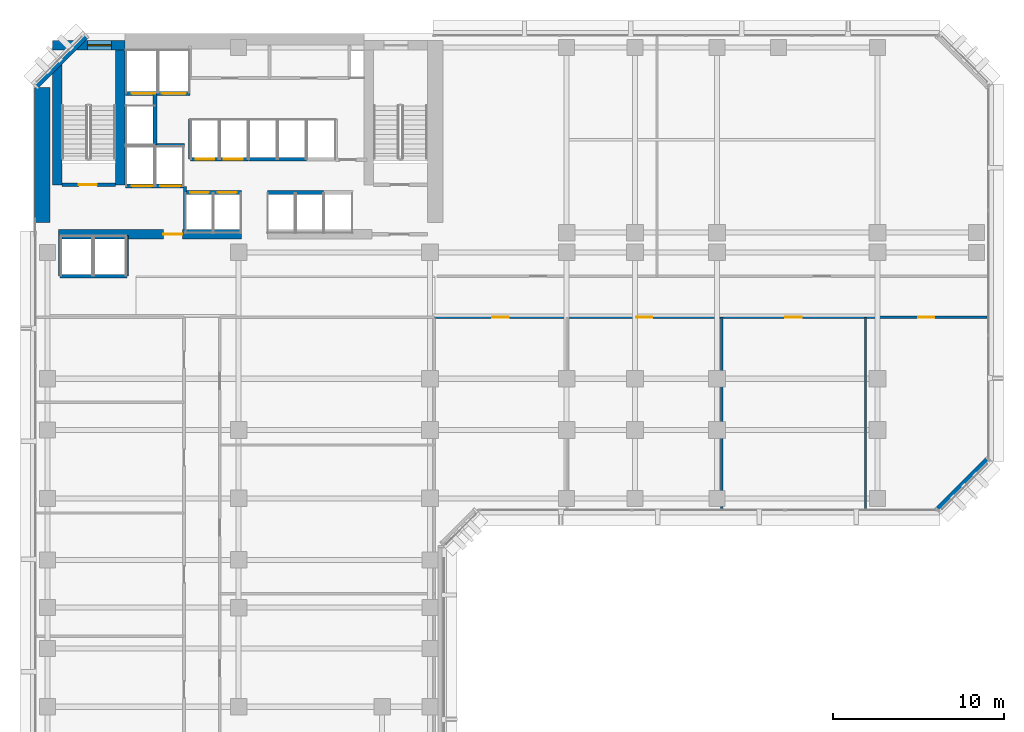
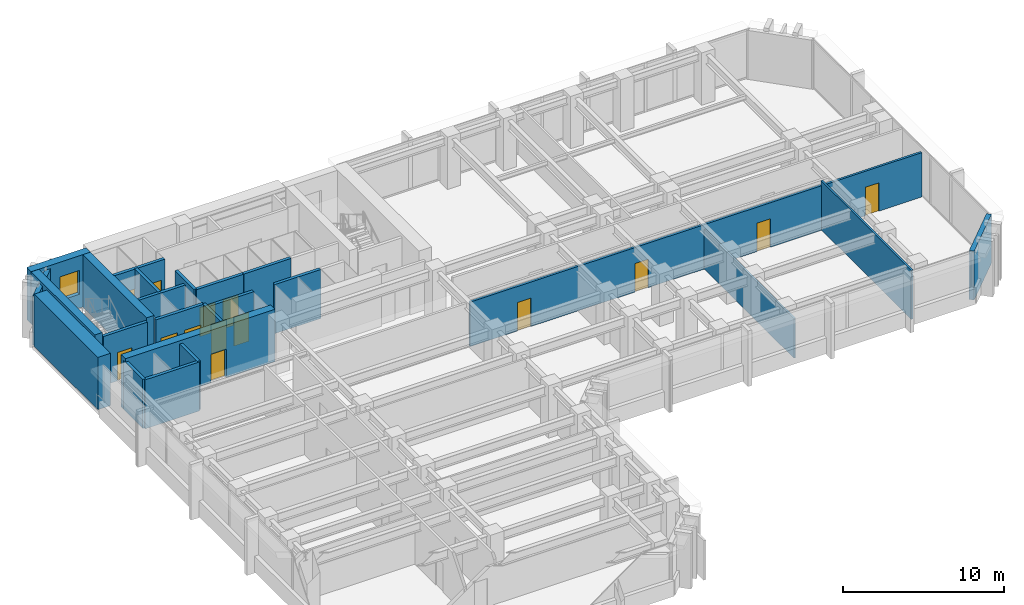
# One storey, part 7 of 13: 24 walls, 14 doors, 1 window, 15 openings.
"""IFC4 building model written with IfcOpenShell, lengths in metres."""

import ifcopenshell
import ifcopenshell.guid

model = None  # the IFC model being written
_history = None  # IfcOwnerHistory: only IFC2X3 demands one
_inside = {}  # id of a spatial element -> (the spatial element, [elements in it])
_under = {}  # id of a project, library or spatial element -> (it, [spatial elements below it])
_declared = {}  # id of a project -> (the project, [libraries it declares])
_typed = {}  # id of a type object -> (the type object, [elements of that type])
_made_of = {}  # id of a material, layer set ... -> (it, [elements and type objects made of it])


def new_model(schema):
    """Start an empty IFC model of exactly this schema.

    Asked for "IFC4X3", IfcOpenShell would pick the latest addendum, in which some entities
    have other attributes; the version numbers below select the first issue.
    IFC2X3 requires an IfcOwnerHistory on every rooted entity: one is made here for all.
    """
    global model, _history
    if schema == "IFC4X3":
        model = ifcopenshell.file(schema_version=(4, 3, 0, 0))
    else:
        model = ifcopenshell.file(schema=schema)
    _inside.clear()
    _under.clear()
    _declared.clear()
    _typed.clear()
    _made_of.clear()
    _history = None
    if model.schema == "IFC2X3":
        org = make("IfcOrganization", Name="unknown")
        user = make(
            "IfcPersonAndOrganization",
            ThePerson=make("IfcPerson", FamilyName="unknown"),
            TheOrganization=org,
        )
        app = make(
            "IfcApplication",
            ApplicationDeveloper=org,
            Version="unknown",
            ApplicationFullName="unknown",
            ApplicationIdentifier="unknown",
        )
        _history = make(
            "IfcOwnerHistory",
            OwningUser=user,
            OwningApplication=app,
            ChangeAction="ADDED",
            CreationDate=0,
        )
    return model


def make(cls, **values):
    """One entity of the class cls with the attributes given. An attribute that is None is left unset."""
    return model.create_entity(
        cls, **{name: value for name, value in values.items() if value is not None}
    )


def rooted(cls, **values):
    """An entity with a GlobalId (a new one), such as an element, a storey or a relation."""
    return make(cls, GlobalId=ifcopenshell.guid.new(), OwnerHistory=_history, **values)


def si_unit(unit_type, name, prefix=None):
    """IfcSIUnit, for example si_unit("LENGTHUNIT", "METRE", prefix="MILLI")."""
    return make("IfcSIUnit", UnitType=unit_type, Prefix=prefix, Name=name)


def assignment(units):
    """IfcUnitAssignment: the units of a project."""
    return None if units is None else make("IfcUnitAssignment", Units=units)


def point(xyz):
    """IfcCartesianPoint."""
    return None if xyz is None else make("IfcCartesianPoint", Coordinates=xyz)


def direction(xyz):
    """IfcDirection."""
    return None if xyz is None else make("IfcDirection", DirectionRatios=xyz)


def frame(location, z_axis=None, x_axis=None):
    """IfcAxis2Placement3D, a coordinate frame: its origin and axes. An axis left out is left unset."""
    return make(
        "IfcAxis2Placement3D",
        Location=point(location),
        Axis=direction(z_axis),
        RefDirection=direction(x_axis),
    )


def frame_2d(location, x_axis=None):
    """IfcAxis2Placement2D, a coordinate frame in the plane: its origin and x axis."""
    return make(
        "IfcAxis2Placement2D", Location=point(location), RefDirection=direction(x_axis)
    )


def origin():
    """The frame at (0, 0, 0) with its axes left unset."""
    return frame((0.0, 0.0, 0.0))


def place(relative_to, where):
    """IfcLocalPlacement: puts the frame where relative to a parent placement (None: the world)."""
    return make(
        "IfcLocalPlacement", PlacementRelTo=relative_to, RelativePlacement=where
    )


def context(
    kind, dimensions, precision=None, world=None, true_north=None, identifier=None
):
    """IfcGeometricRepresentationContext, for example the 3D "Model" context."""
    return make(
        "IfcGeometricRepresentationContext",
        ContextIdentifier=identifier,
        ContextType=kind,
        CoordinateSpaceDimension=dimensions,
        Precision=precision,
        WorldCoordinateSystem=world,
        TrueNorth=true_north,
    )


def subcontext(parent, identifier, kind, view, scale=None):
    """IfcGeometricRepresentationSubContext, for example "Body" below "Model"."""
    return make(
        "IfcGeometricRepresentationSubContext",
        ContextIdentifier=identifier,
        ContextType=kind,
        ParentContext=parent,
        TargetScale=scale,
        TargetView=view,
    )


def project(units=None, contexts=None):
    """IfcProject with its units and contexts."""
    return rooted(
        "IfcProject",
        Name="project",
        RepresentationContexts=contexts,
        UnitsInContext=assignment(units),
    )


def spatial(cls, under=None, at=None, **own):
    """A site, building, storey or space (cls), placed at a placement, below another one or the project."""
    s = rooted(cls, ObjectPlacement=at, **own)
    if under is not None:
        _under.setdefault(under.id(), (under, []))[1].append(s)
    return s


def profile(cls, at=None, kind="AREA", **sizes):
    """A parametric profile (cls). Its sizes go by their IFC names, for example OverallWidth=200.0."""
    return make(cls, ProfileType=kind, Position=at, **sizes)


def rectangle(**sizes):
    """IfcRectangleProfileDef."""
    return profile("IfcRectangleProfileDef", **sizes)


def extrude(swept, where, along, depth):
    """IfcExtrudedAreaSolid: the profile swept, set in the frame where, extruded along a direction by depth."""
    return make(
        "IfcExtrudedAreaSolid",
        SweptArea=swept,
        Position=where,
        ExtrudedDirection=direction(along),
        Depth=depth,
    )


def shape(context_of_items, identifier, shape_type, items):
    """IfcShapeRepresentation: the items that make up one representation, for example the "Body"."""
    return make(
        "IfcShapeRepresentation",
        ContextOfItems=context_of_items,
        RepresentationIdentifier=identifier,
        RepresentationType=shape_type,
        Items=items,
    )


def material(Name=None, Category=None):
    """IfcMaterial."""
    return make("IfcMaterial", Name=Name, Category=Category)


def layer(
    of_material, thickness, ventilated=None, Name=None, Category=None, Priority=None
):
    """IfcMaterialLayer: one layer of a wall or slab, of a material (None: an air gap)."""
    return make(
        "IfcMaterialLayer",
        Material=of_material,
        LayerThickness=thickness,
        IsVentilated=ventilated,
        Name=Name,
        Category=Category,
        Priority=Priority,
    )


def layer_set(layers, Name=None):
    """IfcMaterialLayerSet."""
    return make("IfcMaterialLayerSet", MaterialLayers=layers, LayerSetName=Name)


def made_of(thing, what):
    """Note that an element or type object is made of a material, layer set ...; save() writes the relation."""
    if what is not None:
        _made_of.setdefault(what.id(), (what, []))[1].append(thing)
    return thing


def type_object(cls, material=None, **own):
    """A type object (cls), such as IfcWallType, which elements share."""
    return made_of(rooted(cls, **own), material)


def element(
    cls,
    number,
    at=None,
    inside=None,
    cuts=None,
    type_object=None,
    material=None,
    context=None,
    identifier="Body",
    shape_type=None,
    held_by="IfcProductDefinitionShape",
    body=None,
    shapes=None,
    **own,
):
    """One element of the class cls, such as IfcWall. Its Tag is "e" and its number.

    at: its placement. inside: the storey or other place that contains it. cuts: it is an
    opening in that element (IfcRelVoidsElement). A single representation is given by context,
    identifier, shape_type and body (its items); several are given by shapes. held_by: the class
    of the entity that holds the representations. save() writes the other relations.
    """
    e = rooted(cls, Tag="e%d" % number, ObjectPlacement=at, **own)
    if body is not None:
        shapes = [shape(context, identifier, shape_type, body)]
    if shapes is not None:
        e.Representation = make(held_by, Representations=shapes)
    if inside is not None:
        _inside.setdefault(inside.id(), (inside, []))[1].append(e)
    if cuts is not None:
        rooted(
            "IfcRelVoidsElement", RelatingBuildingElement=cuts, RelatedOpeningElement=e
        )
    if type_object is not None:
        _typed.setdefault(type_object.id(), (type_object, []))[1].append(e)
    return made_of(e, material)


def fill(opening, filler):
    """IfcRelFillsElement: the door or window that sits in an opening."""
    return rooted(
        "IfcRelFillsElement",
        RelatingOpeningElement=opening,
        RelatedBuildingElement=filler,
    )


def aggregate(whole, parts):
    """IfcRelAggregates: a whole, such as a stair, and the parts it consists of."""
    return rooted("IfcRelAggregates", RelatingObject=whole, RelatedObjects=parts)


def save(model, path):
    """Write the relations noted so far, then the file.

    IfcRelAggregates (storeys below a building ...), IfcRelContainedInSpatialStructure (elements
    in a storey), IfcRelDefinesByType, IfcRelAssociatesMaterial and IfcRelDeclares: one each for
    every whole, place, type object, material and project.
    """
    for whole, parts in _under.values():
        aggregate(whole, parts)
    for where, things in _inside.values():
        rooted(
            "IfcRelContainedInSpatialStructure",
            RelatedElements=things,
            RelatingStructure=where,
        )
    for kind, things in _typed.values():
        rooted("IfcRelDefinesByType", RelatedObjects=things, RelatingType=kind)
    for what, things in _made_of.values():
        rooted("IfcRelAssociatesMaterial", RelatedObjects=things, RelatingMaterial=what)
    for by, libraries in _declared.values():
        rooted("IfcRelDeclares", RelatingContext=by, RelatedDefinitions=libraries)
    model.write(path)


model = new_model("IFC4")

# Units and contexts
model_context = context("Model", 3, precision=1e-05, world=origin(), true_north=direction((0.0, 1.0)))
body_context = subcontext(model_context, "Body", "Model", "MODEL_VIEW")
ifc_project = project(units=[si_unit("LENGTHUNIT", "METRE"), si_unit("AREAUNIT", "SQUARE_METRE"), si_unit("VOLUMEUNIT", "CUBIC_METRE"), si_unit("PLANEANGLEUNIT", "RADIAN"), si_unit("MASSUNIT", "GRAM", prefix="KILO")], contexts=[model_context])

# Site, building, storey
site_placement = place(None, origin())
site = spatial("IfcSite", under=ifc_project, at=site_placement, CompositionType="ELEMENT")
building_placement = place(site_placement, origin())
building = spatial("IfcBuilding", under=site, at=building_placement, Name="Kefirva Bronze Tower", CompositionType="ELEMENT")
storey_placement = place(building_placement, frame((0.0, 0.0, 54.1201171875)))
storey = spatial("IfcBuildingStorey", under=building, at=storey_placement, Name="L12", CompositionType="ELEMENT", Elevation=54.1201171875)

# Walls
ifc_material_1 = material(Name="Gypsum acoustic partition")
ifc_layer_1 = layer(ifc_material_1, 0.1298828125, Name="Gypsum acoustic partition")
ifc_layer_set_1 = layer_set([ifc_layer_1], Name="Gypsum acoustic partition")
wall_type_1 = type_object("IfcWallType", Name="Acoustic Office Partition 130mm", PredefinedType="PARTITIONING", material=ifc_layer_set_1)
wall_1_placement = place(storey_placement, frame((40.277099609375, 18.18994140625, 0.0), z_axis=(0.0, 0.0, 1.0), x_axis=(0.0, 1.0, 0.0)))
element("IfcWall", 1, at=wall_1_placement, inside=storey, type_object=wall_type_1, Name="L12 Partition W-L12-ESD2", PredefinedType="PARTITIONING", context=body_context, shape_type="SweptSolid", body=[
    extrude(rectangle(XDim=11.2099609375, YDim=0.1298828125, at=frame_2d((5.60498046875, 0.0))), origin(), (0.0, 0.0, 1.0), 2.994873046875),
])
wall_2_placement = place(storey_placement, frame((48.69091796875, 18.18994140625, 0.0), z_axis=(0.0, 0.0, 1.0), x_axis=(0.0, 1.0, 0.0)))
element("IfcWall", 2, at=wall_2_placement, inside=storey, type_object=wall_type_1, Name="L12 Partition W-L12-ESD3", PredefinedType="PARTITIONING", context=body_context, shape_type="SweptSolid", body=[
    extrude(rectangle(XDim=11.2099609375, YDim=0.1298828125, at=frame_2d((5.60498046875, 0.0))), origin(), (0.0, 0.0, 1.0), 3.7099609375),
])

# Wall, opening, door
ifc_material_2 = material(Name="Gypsum fireboard shaftwall")
ifc_layer_2 = layer(ifc_material_2, 0.219970703125, Name="Gypsum fireboard shaftwall")
ifc_layer_set_2 = layer_set([ifc_layer_2], Name="Gypsum fireboard shaftwall")
wall_type_2 = type_object("IfcWallType", Name="Fire-Rated Shaft Enclosure Wall 220mm", PredefinedType="PARTITIONING", material=ifc_layer_set_2)
wall_3_placement = place(storey_placement, frame((1.64990234375, 37.14990234375, 0.0), z_axis=(0.0, 0.0, 1.0), x_axis=(1.0, 0.0, 0.0)))
wall_3 = element("IfcWall", 3, at=wall_3_placement, inside=storey, type_object=wall_type_2, Name="L12 Partition W-L12-ST1S", PredefinedType="PARTITIONING", context=body_context, shape_type="SweptSolid", body=[
    extrude(rectangle(XDim=3.150146484375, YDim=0.219970703125, at=frame_2d((1.5751953125, 0.0))), origin(), (0.0, 0.0, 1.0), 3.7099609375),
])
opening_1_placement = place(wall_3_placement, frame((2.050048828125, 0.0, 0.0), z_axis=(0.0, 0.0, 1.0), x_axis=(-1.0, 0.0, 0.0)))
opening_1 = element("IfcOpeningElement", 4, at=opening_1_placement, cuts=wall_3, Name="Opening L12-D001", PredefinedType="OPENING", context=body_context, shape_type="SweptSolid", body=[
    extrude(rectangle(XDim=1.050048828125, YDim=2.14990234375, at=frame_2d((0.52490234375, 1.074951171875))), frame((0.0, 0.1201171875, 0.0), z_axis=(0.0, -1.0, 0.0), x_axis=(1.0, 0.0, 0.0)), (0.0, 0.0, 1.0), 0.239990234375),
])
ifc_material_3 = material(Name="Painted galvanized steel", Category="steel")
door_type_1 = type_object("IfcDoorType", Name="Fire Stair Enclosure Door 1050x2150 FD90S", OperationType="NOTDEFINED", PredefinedType="DOOR", material=ifc_material_3)
door_1_placement = place(opening_1_placement, origin())
door_1 = element("IfcDoor", 5, at=door_1_placement, inside=storey, type_object=door_type_1, Name="Door L12-D001", OperationType="SINGLE_SWING_RIGHT", OverallHeight=2.14990234375, OverallWidth=1.050048828125, PredefinedType="DOOR", context=body_context, shape_type="SweptSolid", body=[
    extrude(rectangle(XDim=1.050048828125, YDim=2.14990234375, at=frame_2d((0.52490234375, 1.074951171875))), frame((0.0, 0.02490234375, 0.0), z_axis=(0.0, -1.0, 0.0), x_axis=(1.0, 0.0, 0.0)), (0.0, 0.0, 1.0), 0.050048828125),
])
fill(opening_1, door_1)

# Wall, openings, doors
wall_4_placement = place(storey_placement, frame((5.3798828125, 37.080078125, 0.0), z_axis=(0.0, 0.0, 1.0), x_axis=(1.0, 0.0, 0.0)))
wall_4 = element("IfcWall", 6, at=wall_4_placement, inside=storey, type_object=wall_type_2, Name="L12 Partition W-L12-FFS", PredefinedType="PARTITIONING", context=body_context, shape_type="SweptSolid", body=[
    extrude(rectangle(XDim=3.460205078125, YDim=0.219970703125, at=frame_2d((1.72998046875, 0.0))), origin(), (0.0, 0.0, 1.0), 3.7099609375),
])
opening_2_placement = place(wall_4_placement, frame((1.550048828125, 0.0, 0.0), z_axis=(0.0, 0.0, 1.0), x_axis=(-1.0, 0.0, 0.0)))
opening_2 = element("IfcOpeningElement", 7, at=opening_2_placement, cuts=wall_4, Name="Opening L12-LD-FF1", PredefinedType="OPENING", context=body_context, shape_type="SweptSolid", body=[
    extrude(rectangle(XDim=1.199951171875, YDim=2.199951171875, at=frame_2d((0.60009765625, 1.10009765625))), frame((0.0, 0.1201171875, 0.0), z_axis=(0.0, -1.0, 0.0), x_axis=(1.0, 0.0, 0.0)), (0.0, 0.0, 1.0), 0.239990234375),
])
opening_3_placement = place(wall_4_placement, frame((3.219970703125, 0.0, 0.0), z_axis=(0.0, 0.0, 1.0), x_axis=(-1.0, 0.0, 0.0)))
opening_3 = element("IfcOpeningElement", 8, at=opening_3_placement, cuts=wall_4, Name="Opening L12-LD-FF2", PredefinedType="OPENING", context=body_context, shape_type="SweptSolid", body=[
    extrude(rectangle(XDim=1.199951171875, YDim=2.199951171875, at=frame_2d((0.60009765625, 1.10009765625))), frame((0.0, 0.1201171875, 0.0), z_axis=(0.0, -1.0, 0.0), x_axis=(1.0, 0.0, 0.0)), (0.0, 0.0, 1.0), 0.239990234375),
])
ifc_material_4 = material(Name="Stainless steel 316", Category="steel")
door_type_2 = type_object("IfcDoorType", Name="Firefighting Lift Sliding Door 1200x2200", OperationType="SLIDING_TO_RIGHT", PredefinedType="DOOR", material=ifc_material_4)
door_2_placement = place(opening_2_placement, origin())
door_2 = element("IfcDoor", 9, at=door_2_placement, inside=storey, type_object=door_type_2, Name="Door L12-LD-FF1", OperationType="SLIDING_TO_RIGHT", OverallHeight=2.199951171875, OverallWidth=1.199951171875, PredefinedType="DOOR", context=body_context, shape_type="SweptSolid", body=[
    extrude(rectangle(XDim=1.199951171875, YDim=2.199951171875, at=frame_2d((0.60009765625, 1.10009765625))), frame((0.0, 0.02490234375, 0.0), z_axis=(0.0, -1.0, 0.0), x_axis=(1.0, 0.0, 0.0)), (0.0, 0.0, 1.0), 0.050048828125),
])
fill(opening_2, door_2)
door_3_placement = place(opening_3_placement, origin())
door_3 = element("IfcDoor", 10, at=door_3_placement, inside=storey, type_object=door_type_2, Name="Door L12-LD-FF2", OperationType="SLIDING_TO_RIGHT", OverallHeight=2.199951171875, OverallWidth=1.199951171875, PredefinedType="DOOR", context=body_context, shape_type="SweptSolid", body=[
    extrude(rectangle(XDim=1.199951171875, YDim=2.199951171875, at=frame_2d((0.60009765625, 1.10009765625))), frame((0.0, 0.02490234375, 0.0), z_axis=(0.0, -1.0, 0.0), x_axis=(1.0, 0.0, 0.0)), (0.0, 0.0, 1.0), 0.050048828125),
])
fill(opening_3, door_3)

# Wall
wall_5_placement = place(storey_placement, frame((5.3798828125, 39.449951171875, 0.0), z_axis=(0.0, 0.0, 1.0), x_axis=(1.0, 0.0, 0.0)))
element("IfcWall", 11, at=wall_5_placement, inside=storey, type_object=wall_type_2, Name="L12 Partition W-L12-FFN", PredefinedType="PARTITIONING", context=body_context, shape_type="SweptSolid", body=[
    extrude(rectangle(XDim=3.460205078125, YDim=0.219970703125, at=frame_2d((1.72998046875, 0.0))), origin(), (0.0, 0.0, 1.0), 3.7099609375),
])

# Wall, openings, doors
wall_6_placement = place(storey_placement, frame((5.3798828125, 42.5, 0.0), z_axis=(0.0, 0.0, 1.0), x_axis=(1.0, 0.0, 0.0)))
wall_6 = element("IfcWall", 12, at=wall_6_placement, inside=storey, type_object=wall_type_2, Name="L12 Partition W-L12-SVS", PredefinedType="PARTITIONING", context=body_context, shape_type="SweptSolid", body=[
    extrude(rectangle(XDim=3.77001953125, YDim=0.219970703125, at=frame_2d((1.885009765625, 0.0))), origin(), (0.0, 0.0, 1.0), 3.7099609375),
])
opening_4_placement = place(wall_6_placement, frame((1.75, 0.0, 0.0), z_axis=(0.0, 0.0, 1.0), x_axis=(-1.0, 0.0, 0.0)))
opening_4 = element("IfcOpeningElement", 13, at=opening_4_placement, cuts=wall_6, Name="Opening L12-LD-SV1", PredefinedType="OPENING", context=body_context, shape_type="SweptSolid", body=[
    extrude(rectangle(XDim=1.39990234375, YDim=2.199951171875, at=frame_2d((0.699951171875, 1.10009765625))), frame((0.0, 0.1201171875, 0.0), z_axis=(0.0, -1.0, 0.0), x_axis=(1.0, 0.0, 0.0)), (0.0, 0.0, 1.0), 0.239990234375),
])
opening_5_placement = place(wall_6_placement, frame((3.52978515625, 0.0, 0.0), z_axis=(0.0, 0.0, 1.0), x_axis=(-1.0, 0.0, 0.0)))
opening_5 = element("IfcOpeningElement", 14, at=opening_5_placement, cuts=wall_6, Name="Opening L12-LD-SV2", PredefinedType="OPENING", context=body_context, shape_type="SweptSolid", body=[
    extrude(rectangle(XDim=1.39990234375, YDim=2.199951171875, at=frame_2d((0.699951171875, 1.10009765625))), frame((0.0, 0.1201171875, 0.0), z_axis=(0.0, -1.0, 0.0), x_axis=(1.0, 0.0, 0.0)), (0.0, 0.0, 1.0), 0.239990234375),
])
door_type_3 = type_object("IfcDoorType", Name="Goods Lift Bi-Parting Sliding Door 1400x2200", OperationType="SLIDING_TO_LEFT", PredefinedType="DOOR", material=ifc_material_4)
door_4_placement = place(opening_4_placement, origin())
door_4 = element("IfcDoor", 15, at=door_4_placement, inside=storey, type_object=door_type_3, Name="Door L12-LD-SV1", OperationType="SLIDING_TO_LEFT", OverallHeight=2.199951171875, OverallWidth=1.39990234375, PredefinedType="DOOR", context=body_context, shape_type="SweptSolid", body=[
    extrude(rectangle(XDim=1.39990234375, YDim=2.199951171875, at=frame_2d((0.699951171875, 1.10009765625))), frame((0.0, 0.02490234375, 0.0), z_axis=(0.0, -1.0, 0.0), x_axis=(1.0, 0.0, 0.0)), (0.0, 0.0, 1.0), 0.050048828125),
])
fill(opening_4, door_4)
door_5_placement = place(opening_5_placement, origin())
door_5 = element("IfcDoor", 16, at=door_5_placement, inside=storey, type_object=door_type_3, Name="Door L12-LD-SV2", OperationType="SLIDING_TO_LEFT", OverallHeight=2.199951171875, OverallWidth=1.39990234375, PredefinedType="DOOR", context=body_context, shape_type="SweptSolid", body=[
    extrude(rectangle(XDim=1.39990234375, YDim=2.199951171875, at=frame_2d((0.699951171875, 1.10009765625))), frame((0.0, 0.02490234375, 0.0), z_axis=(0.0, -1.0, 0.0), x_axis=(1.0, 0.0, 0.0)), (0.0, 0.0, 1.0), 0.050048828125),
])
fill(opening_5, door_5)

# Walls
wall_7_placement = place(storey_placement, frame((7.10009765625, 39.52001953125, 0.0), z_axis=(0.0, 0.0, 1.0), x_axis=(0.0, 1.0, 0.0)))
element("IfcWall", 17, at=wall_7_placement, inside=storey, type_object=wall_type_2, Name="L12 Partition W-L12-HP3E", PredefinedType="PARTITIONING", context=body_context, shape_type="SweptSolid", body=[
    extrude(rectangle(XDim=2.929931640625, YDim=0.219970703125, at=frame_2d((1.46484375, 0.0))), origin(), (0.0, 0.0, 1.0), 3.7099609375),
])
wall_8_placement = place(storey_placement, frame((1.550048828125, 31.800048828125, 0.0), z_axis=(0.0, 0.0, 1.0), x_axis=(1.0, 0.0, 0.0)))
element("IfcWall", 18, at=wall_8_placement, inside=storey, type_object=wall_type_2, Name="L12 Partition W-L12-OBS", PredefinedType="PARTITIONING", context=body_context, shape_type="SweptSolid", body=[
    extrude(rectangle(XDim=3.89990234375, YDim=0.219970703125, at=frame_2d((1.949951171875, 0.0))), origin(), (0.0, 0.0, 1.0), 3.7099609375),
])
for number, where, z_axis, x_axis, name in (
    (19, (1.550048828125, 31.800048828125, 0.0), (0.0, 0.0, 1.0), (0.0, 1.0, 0.0), "L12 Partition W-L12-OBW"),
    (20, (5.449951171875, 31.800048828125, 0.0), (0.0, 0.0, 1.0), (0.0, 1.0, 0.0), "L12 Partition W-L12-OBE"),
):
    element("IfcWall", number, at=place(storey_placement, frame(where, z_axis=z_axis, x_axis=x_axis)), inside=storey, type_object=wall_type_2, Name=name, PredefinedType="PARTITIONING", context=body_context, shape_type="SweptSolid", body=[
        extrude(rectangle(XDim=2.3798828125, YDim=0.219970703125, at=frame_2d((1.18994140625, 0.0))), origin(), (0.0, 0.0, 1.0), 3.7099609375),
    ])
wall_9_placement = place(storey_placement, frame((9.159912109375, 38.64990234375, 0.0), z_axis=(0.0, 0.0, 1.0), x_axis=(0.0, 1.0, 0.0)))
element("IfcWall", 21, at=wall_9_placement, inside=storey, type_object=wall_type_2, Name="L12 Partition W-L12-LP3W", PredefinedType="PARTITIONING", context=body_context, shape_type="SweptSolid", body=[
    extrude(rectangle(XDim=2.35009765625, YDim=0.199951171875, at=frame_2d((1.175048828125, 0.0))), origin(), (0.0, 0.0, 1.0), 3.7099609375),
])

# Wall, openings, doors
wall_10_placement = place(storey_placement, frame((8.89990234375, 36.699951171875, 0.0), z_axis=(0.0, 0.0, 1.0), x_axis=(1.0, 0.0, 0.0)))
wall_10 = element("IfcWall", 22, at=wall_10_placement, inside=storey, type_object=wall_type_2, Name="L12 Partition W-L12-LPS", PredefinedType="PARTITIONING", context=body_context, shape_type="SweptSolid", body=[
    extrude(rectangle(XDim=3.260009765625, YDim=0.219970703125, at=frame_2d((1.6298828125, 0.0))), origin(), (0.0, 0.0, 1.0), 3.7099609375),
])
opening_6_placement = place(wall_10_placement, frame((0.260009765625, 0.0, 0.0)))
opening_6 = element("IfcOpeningElement", 23, at=opening_6_placement, cuts=wall_10, Name="Opening L12-LD-LP1", PredefinedType="OPENING", context=body_context, shape_type="SweptSolid", body=[
    extrude(rectangle(XDim=1.10009765625, YDim=2.199951171875, at=frame_2d((0.550048828125, 1.10009765625))), frame((0.0, 0.1201171875, 0.0), z_axis=(0.0, -1.0, 0.0), x_axis=(1.0, 0.0, 0.0)), (0.0, 0.0, 1.0), 0.239990234375),
])
opening_7_placement = place(wall_10_placement, frame((1.8798828125, 0.0, 0.0)))
opening_7 = element("IfcOpeningElement", 24, at=opening_7_placement, cuts=wall_10, Name="Opening L12-LD-LP2", PredefinedType="OPENING", context=body_context, shape_type="SweptSolid", body=[
    extrude(rectangle(XDim=1.10009765625, YDim=2.199951171875, at=frame_2d((0.550048828125, 1.10009765625))), frame((0.0, 0.1201171875, 0.0), z_axis=(0.0, -1.0, 0.0), x_axis=(1.0, 0.0, 0.0)), (0.0, 0.0, 1.0), 0.239990234375),
])
door_type_4 = type_object("IfcDoorType", Name="Passenger Lift Sliding Landing Door 1100x2200", OperationType="SLIDING_TO_LEFT", PredefinedType="DOOR", material=ifc_material_4)
door_6_placement = place(opening_6_placement, origin())
door_6 = element("IfcDoor", 25, at=door_6_placement, inside=storey, type_object=door_type_4, Name="Door L12-LD-LP1", OperationType="SLIDING_TO_LEFT", OverallHeight=2.199951171875, OverallWidth=1.10009765625, PredefinedType="DOOR", context=body_context, shape_type="SweptSolid", body=[
    extrude(rectangle(XDim=1.10009765625, YDim=2.199951171875, at=frame_2d((0.550048828125, 1.10009765625))), frame((0.0, 0.02490234375, 0.0), z_axis=(0.0, -1.0, 0.0), x_axis=(1.0, 0.0, 0.0)), (0.0, 0.0, 1.0), 0.050048828125),
])
fill(opening_6, door_6)
door_7_placement = place(opening_7_placement, origin())
door_7 = element("IfcDoor", 26, at=door_7_placement, inside=storey, type_object=door_type_4, Name="Door L12-LD-LP2", OperationType="SLIDING_TO_LEFT", OverallHeight=2.199951171875, OverallWidth=1.10009765625, PredefinedType="DOOR", context=body_context, shape_type="SweptSolid", body=[
    extrude(rectangle(XDim=1.10009765625, YDim=2.199951171875, at=frame_2d((0.550048828125, 1.10009765625))), frame((0.0, 0.02490234375, 0.0), z_axis=(0.0, -1.0, 0.0), x_axis=(1.0, 0.0, 0.0)), (0.0, 0.0, 1.0), 0.050048828125),
])
fill(opening_7, door_7)

wall_11_placement = place(storey_placement, frame((9.179931640625, 38.64990234375, 0.0), z_axis=(0.0, 0.0, 1.0), x_axis=(1.0, 0.0, 0.0)))
wall_11 = element("IfcWall", 27, at=wall_11_placement, inside=storey, type_object=wall_type_2, Name="L12 Partition W-L12-LPN", PredefinedType="PARTITIONING", context=body_context, shape_type="SweptSolid", body=[
    extrude(rectangle(XDim=3.380126953125, YDim=0.219970703125, at=frame_2d((1.68994140625, 0.0))), origin(), (0.0, 0.0, 1.0), 3.7099609375),
])
opening_8_placement = place(wall_11_placement, frame((0.300048828125, 0.0, 0.0)))
opening_8 = element("IfcOpeningElement", 28, at=opening_8_placement, cuts=wall_11, Name="Opening L12-LD-LP3", PredefinedType="OPENING", context=body_context, shape_type="SweptSolid", body=[
    extrude(rectangle(XDim=1.10009765625, YDim=2.199951171875, at=frame_2d((0.550048828125, 1.10009765625))), frame((0.0, 0.1201171875, 0.0), z_axis=(0.0, -1.0, 0.0), x_axis=(1.0, 0.0, 0.0)), (0.0, 0.0, 1.0), 0.239990234375),
])
opening_9_placement = place(wall_11_placement, frame((1.949951171875, 0.0, 0.0)))
opening_9 = element("IfcOpeningElement", 29, at=opening_9_placement, cuts=wall_11, Name="Opening L12-LD-LP4", PredefinedType="OPENING", context=body_context, shape_type="SweptSolid", body=[
    extrude(rectangle(XDim=1.10009765625, YDim=2.199951171875, at=frame_2d((0.550048828125, 1.10009765625))), frame((0.0, 0.1201171875, 0.0), z_axis=(0.0, -1.0, 0.0), x_axis=(1.0, 0.0, 0.0)), (0.0, 0.0, 1.0), 0.239990234375),
])
door_8_placement = place(opening_8_placement, origin())
door_8 = element("IfcDoor", 30, at=door_8_placement, inside=storey, type_object=door_type_4, Name="Door L12-LD-LP3", OperationType="SLIDING_TO_LEFT", OverallHeight=2.199951171875, OverallWidth=1.10009765625, PredefinedType="DOOR", context=body_context, shape_type="SweptSolid", body=[
    extrude(rectangle(XDim=1.10009765625, YDim=2.199951171875, at=frame_2d((0.550048828125, 1.10009765625))), frame((0.0, 0.02490234375, 0.0), z_axis=(0.0, -1.0, 0.0), x_axis=(1.0, 0.0, 0.0)), (0.0, 0.0, 1.0), 0.050048828125),
])
fill(opening_8, door_8)
door_9_placement = place(opening_9_placement, origin())
door_9 = element("IfcDoor", 31, at=door_9_placement, inside=storey, type_object=door_type_4, Name="Door L12-LD-LP4", OperationType="SLIDING_TO_LEFT", OverallHeight=2.199951171875, OverallWidth=1.10009765625, PredefinedType="DOOR", context=body_context, shape_type="SweptSolid", body=[
    extrude(rectangle(XDim=1.10009765625, YDim=2.199951171875, at=frame_2d((0.550048828125, 1.10009765625))), frame((0.0, 0.02490234375, 0.0), z_axis=(0.0, -1.0, 0.0), x_axis=(1.0, 0.0, 0.0)), (0.0, 0.0, 1.0), 0.050048828125),
])
fill(opening_9, door_9)

# Walls
wall_12_placement = place(storey_placement, frame((13.679931640625, 36.699951171875, 0.0), z_axis=(0.0, 0.0, 1.0), x_axis=(1.0, 0.0, 0.0)))
element("IfcWall", 32, at=wall_12_placement, inside=storey, type_object=wall_type_2, Name="L12 Partition W-L12-MPS", PredefinedType="PARTITIONING", context=body_context, shape_type="SweptSolid", body=[
    extrude(rectangle(XDim=3.280029296875, YDim=0.219970703125, at=frame_2d((1.64013671875, 0.0))), origin(), (0.0, 0.0, 1.0), 3.7099609375),
])
wall_13_placement = place(storey_placement, frame((12.580078125, 38.64990234375, 0.0), z_axis=(0.0, 0.0, 1.0), x_axis=(1.0, 0.0, 0.0)))
element("IfcWall", 33, at=wall_13_placement, inside=storey, type_object=wall_type_2, Name="L12 Partition W-L12-MPN", PredefinedType="PARTITIONING", context=body_context, shape_type="SweptSolid", body=[
    extrude(rectangle(XDim=3.3798828125, YDim=0.219970703125, at=frame_2d((1.68994140625, 0.0))), origin(), (0.0, 0.0, 1.0), 3.7099609375),
])
ifc_material_5 = material(Name="Gypsum fireboard barrier")
ifc_layer_3 = layer(ifc_material_5, 0.199951171875, Name="Gypsum fireboard barrier")
ifc_layer_set_3 = layer_set([ifc_layer_3], Name="Gypsum fireboard barrier")
wall_type_3 = type_object("IfcWallType", Name="Firefighting Lobby Barrier Wall 200mm", PredefinedType="PARTITIONING", material=ifc_layer_set_3)
wall_14_placement = place(storey_placement, frame((8.860107421875, 34.550048828125, 0.0), z_axis=(0.0, 0.0, 1.0), x_axis=(0.0, 1.0, 0.0)))
element("IfcWall", 34, at=wall_14_placement, inside=storey, type_object=wall_type_3, Name="L12 Partition W-L12-FFLE", PredefinedType="PARTITIONING", context=body_context, shape_type="SweptSolid", body=[
    extrude(rectangle(XDim=2.5, YDim=0.199951171875, at=frame_2d((1.25, 0.0))), origin(), (0.0, 0.0, 1.0), 3.7099609375),
])
ifc_material_6 = material(Name="Precast concrete C40/50", Category="concrete")
ifc_layer_4 = layer(ifc_material_6, 0.320068359375, Name="Precast concrete C40/50")
ifc_layer_set_4 = layer_set([ifc_layer_4], Name="Precast concrete C40/50")
wall_type_4 = type_object("IfcWallType", Name="Precast Insulated Exterior Wall 320mm", PredefinedType="SOLIDWALL", material=ifc_layer_set_4)
for number, where, z_axis, x_axis, name in (
    (35, (52.92578125, 18.152099609375, 0.0), (0.0, 0.0, 1.0), (0.707106781187, 0.707106781187, 0.0), "L12 Exterior Facade Wall 4"),
    (36, (3.07421875, 45.847900390625, 0.0), (0.0, 0.0, 1.0), (-0.707106781187, -0.707106781187, 0.0), "L12 Exterior Facade Wall 6"),
):
    element("IfcWall", number, at=place(storey_placement, frame(where, z_axis=z_axis, x_axis=x_axis)), inside=storey, type_object=wall_type_4, Name=name, PredefinedType="SOLIDWALL", context=body_context, shape_type="SweptSolid", body=[
        extrude(rectangle(XDim=4.132568359375, YDim=0.320068359375, at=frame_2d((2.06640625, 0.0))), origin(), (0.0, 0.0, 1.0), 3.7099609375),
    ])

# Wall, openings, doors
ifc_layer_5 = layer(ifc_material_1, 0.159912109375, Name="Gypsum acoustic partition")
ifc_layer_set_5 = layer_set([ifc_layer_5], Name="Gypsum acoustic partition")
wall_type_5 = type_object("IfcWallType", Name="Protected Corridor Partition 160mm", PredefinedType="PARTITIONING", material=ifc_layer_set_5)
wall_15_placement = place(storey_placement, frame((23.449951171875, 29.39990234375, 0.0), z_axis=(0.0, 0.0, 1.0), x_axis=(1.0, 0.0, 0.0)))
wall_15 = element("IfcWall", 37, at=wall_15_placement, inside=storey, type_object=wall_type_5, Name="L12 Partition W-L12-EWS", PredefinedType="PARTITIONING", context=body_context, shape_type="SweptSolid", body=[
    extrude(rectangle(XDim=32.360107421875, YDim=0.159912109375, at=frame_2d((16.18017578125, 0.0))), origin(), (0.0, 0.0, 1.0), 3.364990234375),
])
opening_10_placement = place(wall_15_placement, frame((4.358154296875, 0.0, 0.0), z_axis=(0.0, 0.0, 1.0), x_axis=(-1.0, 0.0, 0.0)))
opening_10 = element("IfcOpeningElement", 38, at=opening_10_placement, cuts=wall_15, Name="Opening L12-D-ES1", PredefinedType="OPENING", context=body_context, shape_type="SweptSolid", body=[
    extrude(rectangle(XDim=0.949951171875, YDim=2.14990234375, at=frame_2d((0.47509765625, 1.074951171875))), frame((0.0, 0.08984375, 0.0), z_axis=(0.0, -1.0, 0.0), x_axis=(1.0, 0.0, 0.0)), (0.0, 0.0, 1.0), 0.179931640625),
])
opening_11_placement = place(wall_15_placement, frame((12.771728515625, 0.0, 0.0), z_axis=(0.0, 0.0, 1.0), x_axis=(-1.0, 0.0, 0.0)))
opening_11 = element("IfcOpeningElement", 39, at=opening_11_placement, cuts=wall_15, Name="Opening L12-D-ES2", PredefinedType="OPENING", context=body_context, shape_type="SweptSolid", body=[
    extrude(rectangle(XDim=0.949951171875, YDim=2.14990234375, at=frame_2d((0.47509765625, 1.074951171875))), frame((0.0, 0.08984375, 0.0), z_axis=(0.0, -1.0, 0.0), x_axis=(1.0, 0.0, 0.0)), (0.0, 0.0, 1.0), 0.179931640625),
])
opening_12_placement = place(wall_15_placement, frame((21.509033203125, 0.0, 0.0), z_axis=(0.0, 0.0, 1.0), x_axis=(-1.0, 0.0, 0.0)))
opening_12 = element("IfcOpeningElement", 40, at=opening_12_placement, cuts=wall_15, Name="Opening L12-D-ES3", PredefinedType="OPENING", context=body_context, shape_type="SweptSolid", body=[
    extrude(rectangle(XDim=0.949951171875, YDim=2.14990234375, at=frame_2d((0.47509765625, 1.074951171875))), frame((0.0, 0.08984375, 0.0), z_axis=(0.0, -1.0, 0.0), x_axis=(1.0, 0.0, 0.0)), (0.0, 0.0, 1.0), 0.179931640625),
])
opening_13_placement = place(wall_15_placement, frame((29.275390625, 0.0, 0.0), z_axis=(0.0, 0.0, 1.0), x_axis=(-1.0, 0.0, 0.0)))
opening_13 = element("IfcOpeningElement", 41, at=opening_13_placement, cuts=wall_15, Name="Opening L12-D-ES4", PredefinedType="OPENING", context=body_context, shape_type="SweptSolid", body=[
    extrude(rectangle(XDim=0.949951171875, YDim=2.14990234375, at=frame_2d((0.47509765625, 1.074951171875))), frame((0.0, 0.08984375, 0.0), z_axis=(0.0, -1.0, 0.0), x_axis=(1.0, 0.0, 0.0)), (0.0, 0.0, 1.0), 0.179931640625),
])
ifc_material_7 = material(Name="Acoustic hardwood oak", Category="wood")
door_type_5 = type_object("IfcDoorType", Name="Office & Meeting Room Door 950x2150", OperationType="NOTDEFINED", PredefinedType="DOOR", material=ifc_material_7)
door_10_placement = place(opening_10_placement, origin())
door_10 = element("IfcDoor", 42, at=door_10_placement, inside=storey, type_object=door_type_5, Name="Door L12-D-ES1", OperationType="SINGLE_SWING_LEFT", OverallHeight=2.14990234375, OverallWidth=0.949951171875, PredefinedType="DOOR", context=body_context, shape_type="SweptSolid", body=[
    extrude(rectangle(XDim=0.949951171875, YDim=2.14990234375, at=frame_2d((0.47509765625, 1.074951171875))), frame((0.0, 0.02490234375, 0.0), z_axis=(0.0, -1.0, 0.0), x_axis=(1.0, 0.0, 0.0)), (0.0, 0.0, 1.0), 0.050048828125),
])
fill(opening_10, door_10)
door_11_placement = place(opening_11_placement, origin())
door_11 = element("IfcDoor", 43, at=door_11_placement, inside=storey, type_object=door_type_5, Name="Door L12-D-ES2", OperationType="SINGLE_SWING_RIGHT", OverallHeight=2.14990234375, OverallWidth=0.949951171875, PredefinedType="DOOR", context=body_context, shape_type="SweptSolid", body=[
    extrude(rectangle(XDim=0.949951171875, YDim=2.14990234375, at=frame_2d((0.47509765625, 1.074951171875))), frame((0.0, 0.02490234375, 0.0), z_axis=(0.0, -1.0, 0.0), x_axis=(1.0, 0.0, 0.0)), (0.0, 0.0, 1.0), 0.050048828125),
])
fill(opening_11, door_11)
door_12_placement = place(opening_12_placement, origin())
door_12 = element("IfcDoor", 44, at=door_12_placement, inside=storey, type_object=door_type_5, Name="Door L12-D-ES3", OperationType="SINGLE_SWING_LEFT", OverallHeight=2.14990234375, OverallWidth=0.949951171875, PredefinedType="DOOR", context=body_context, shape_type="SweptSolid", body=[
    extrude(rectangle(XDim=0.949951171875, YDim=2.14990234375, at=frame_2d((0.47509765625, 1.074951171875))), frame((0.0, 0.02490234375, 0.0), z_axis=(0.0, -1.0, 0.0), x_axis=(1.0, 0.0, 0.0)), (0.0, 0.0, 1.0), 0.050048828125),
])
fill(opening_12, door_12)
door_13_placement = place(opening_13_placement, origin())
door_13 = element("IfcDoor", 45, at=door_13_placement, inside=storey, type_object=door_type_5, Name="Door L12-D-ES4", OperationType="SINGLE_SWING_RIGHT", OverallHeight=2.14990234375, OverallWidth=0.949951171875, PredefinedType="DOOR", context=body_context, shape_type="SweptSolid", body=[
    extrude(rectangle(XDim=0.949951171875, YDim=2.14990234375, at=frame_2d((0.47509765625, 1.074951171875))), frame((0.0, 0.02490234375, 0.0), z_axis=(0.0, -1.0, 0.0), x_axis=(1.0, 0.0, 0.0)), (0.0, 0.0, 1.0), 0.050048828125),
])
fill(opening_13, door_13)

# Wall, opening, window
ifc_material_8 = material(Name="Concrete C50/60", Category="concrete")
ifc_layer_6 = layer(ifc_material_8, 0.550048828125, Name="Concrete C50/60")
ifc_layer_set_6 = layer_set([ifc_layer_6], Name="Concrete C50/60")
wall_type_6 = type_object("IfcWallType", Name="RC Rear Core Exterior Wall 550mm", PredefinedType="SHEAR", material=ifc_layer_set_6)
wall_16_placement = place(storey_placement, frame((1.10009765625, 45.320068359375, 0.0), z_axis=(0.0, 0.0, 1.0), x_axis=(1.0, 0.0, 0.0)))
wall_16 = element("IfcWall", 46, at=wall_16_placement, inside=storey, type_object=wall_type_6, Name="L12 Stair 1 North Shear Wall", PredefinedType="SHEAR", context=body_context, shape_type="SweptSolid", body=[
    extrude(rectangle(XDim=4.239990234375, YDim=0.550048828125, at=frame_2d((2.1201171875, 0.0))), origin(), (0.0, 0.0, 1.0), 3.9599609375),
])
opening_14_placement = place(wall_16_placement, frame((2.050048828125, 0.0, 1.050048828125)))
opening_14 = element("IfcOpeningElement", 47, at=opening_14_placement, cuts=wall_16, Name="Opening WN-03", PredefinedType="OPENING", context=body_context, shape_type="SweptSolid", body=[
    extrude(rectangle(XDim=1.39990234375, YDim=1.800048828125, at=frame_2d((0.699951171875, 0.89990234375))), frame((0.0, 0.28515625, 0.0), z_axis=(0.0, -1.0, 0.0), x_axis=(1.0, 0.0, 0.0)), (0.0, 0.0, 1.0), 0.570068359375),
])
ifc_material_9 = material(Name="Laminated low-E double glazing", Category="glass")
window_type = type_object("IfcWindowType", Name="Rear-Core Stair Daylight Window 1400x1800", PartitioningType="SINGLE_PANEL", PredefinedType="WINDOW", material=ifc_material_9)
window_placement = place(opening_14_placement, origin())
window = element("IfcWindow", 48, at=window_placement, inside=storey, type_object=window_type, Name="L12 Stair 1 Daylight Window", OverallHeight=1.800048828125, OverallWidth=1.39990234375, PartitioningType="SINGLE_PANEL", PredefinedType="WINDOW", context=body_context, shape_type="SweptSolid", body=[
    extrude(rectangle(XDim=1.39990234375, YDim=1.800048828125, at=frame_2d((0.699951171875, 0.89990234375))), frame((0.0, 0.030029296875, 0.0), z_axis=(0.0, -1.0, 0.0), x_axis=(1.0, 0.0, 0.0)), (0.0, 0.0, 1.0), 0.06005859375),
])
fill(opening_14, window)

# Walls
ifc_material_10 = material(Name="Concrete C60/75", Category="concrete")
ifc_layer_7 = layer(ifc_material_10, 0.89990234375, Name="Concrete C60/75")
ifc_layer_set_7 = layer_set([ifc_layer_7], Name="Concrete C60/75")
wall_type_7 = type_object("IfcWallType", Name="RC Rear Core Exterior Wall 900mm", PredefinedType="SHEAR", material=ifc_layer_set_7)
wall_17_placement = place(storey_placement, frame((0.5, 34.949951171875, 0.0), z_axis=(0.0, 0.0, 1.0), x_axis=(0.0, 1.0, 0.0)))
element("IfcWall", 49, at=wall_17_placement, inside=storey, type_object=wall_type_7, Name="L12 Rear Core West Shear Wall", PredefinedType="SHEAR", context=body_context, shape_type="SweptSolid", body=[
    extrude(rectangle(XDim=7.900146484375, YDim=0.89990234375, at=frame_2d((3.9501953125, 0.0))), origin(), (0.0, 0.0, 1.0), 3.9599609375),
])
ifc_layer_8 = layer(ifc_material_8, 0.550048828125, Name="Concrete C50/60")
ifc_layer_set_8 = layer_set([ifc_layer_8], Name="Concrete C50/60")
wall_type_8 = type_object("IfcWallType", Name="RC Rear Core Interior Wall 550mm", PredefinedType="SHEAR", material=ifc_layer_set_8)
for number, where, z_axis, x_axis, name in (
    (50, (1.3701171875, 37.14990234375, 0.0), (0.0, 0.0, 1.0), (0.0, 1.0, 0.0), "L12 Stair 1 West Shear Wall"),
    (51, (5.070068359375, 37.14990234375, 0.0), (0.0, 0.0, 1.0), (0.0, 1.0, 0.0), "L12 Stair 1 East Shear Wall"),
):
    element("IfcWall", number, at=place(storey_placement, frame(where, z_axis=z_axis, x_axis=x_axis)), inside=storey, type_object=wall_type_8, Name=name, PredefinedType="SHEAR", context=body_context, shape_type="SweptSolid", body=[
        extrude(rectangle(XDim=7.89013671875, YDim=0.550048828125, at=frame_2d((3.945068359375, 0.0))), origin(), (0.0, 0.0, 1.0), 3.9599609375),
    ])

# Wall, opening, door
ifc_layer_9 = layer(ifc_material_10, 0.89990234375, Name="Concrete C60/75")
ifc_layer_set_9 = layer_set([ifc_layer_9], Name="Concrete C60/75")
wall_type_9 = type_object("IfcWallType", Name="RC Rear Core Interior Wall 900mm", PredefinedType="SHEAR", material=ifc_layer_set_9)
wall_18_placement = place(storey_placement, frame((1.449951171875, 34.25, 0.0), z_axis=(0.0, 0.0, 1.0), x_axis=(1.0, 0.0, 0.0)))
wall_18 = element("IfcWall", 52, at=wall_18_placement, inside=storey, type_object=wall_type_9, Name="L12 Rear Core South-West Shear Wall", PredefinedType="SHEAR", context=body_context, shape_type="SweptSolid", body=[
    extrude(rectangle(XDim=10.7099609375, YDim=0.550048828125, at=frame_2d((5.35498046875, 0.0))), origin(), (0.0, 0.0, 1.0), 3.9599609375),
])
opening_15_placement = place(wall_18_placement, frame((7.25, 0.0, 0.0), z_axis=(0.0, 0.0, 1.0), x_axis=(-1.0, 0.0, 0.0)))
opening_15 = element("IfcOpeningElement", 53, at=opening_15_placement, cuts=wall_18, Name="Opening L12-D002", PredefinedType="OPENING", context=body_context, shape_type="SweptSolid", body=[
    extrude(rectangle(XDim=1.10009765625, YDim=2.14990234375, at=frame_2d((0.550048828125, 1.074951171875))), frame((0.0, 0.28515625, 0.0), z_axis=(0.0, -1.0, 0.0), x_axis=(1.0, 0.0, 0.0)), (0.0, 0.0, 1.0), 0.570068359375),
])
door_type_6 = type_object("IfcDoorType", Name="Firefighting Lobby Smoke Door 1100x2150 FD60S", OperationType="NOTDEFINED", PredefinedType="DOOR", material=ifc_material_3)
door_14_placement = place(opening_15_placement, origin())
door_14 = element("IfcDoor", 54, at=door_14_placement, inside=storey, type_object=door_type_6, Name="Door L12-D002", OperationType="SINGLE_SWING_LEFT", OverallHeight=2.14990234375, OverallWidth=1.10009765625, PredefinedType="DOOR", context=body_context, shape_type="SweptSolid", body=[
    extrude(rectangle(XDim=1.10009765625, YDim=2.14990234375, at=frame_2d((0.550048828125, 1.074951171875))), frame((0.0, 0.02490234375, 0.0), z_axis=(0.0, -1.0, 0.0), x_axis=(1.0, 0.0, 0.0)), (0.0, 0.0, 1.0), 0.050048828125),
])
fill(opening_15, door_14)

save(model, "model.ifc")
